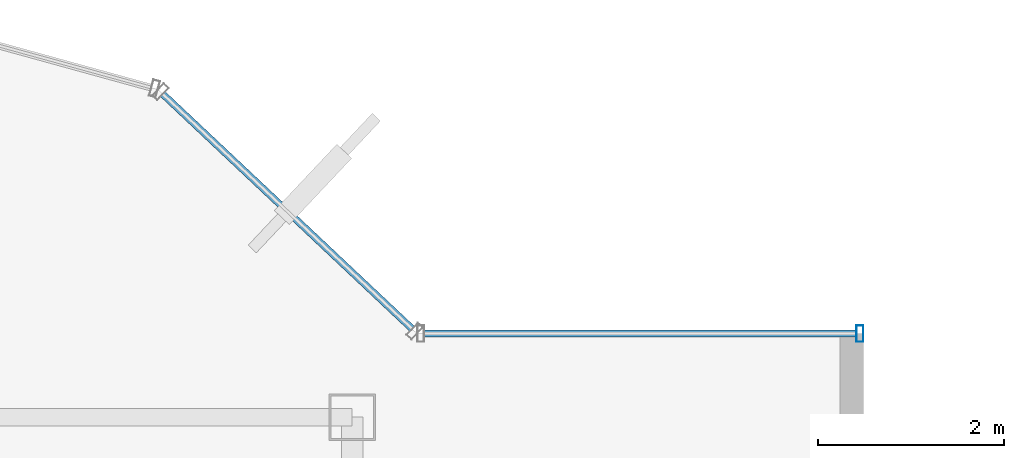
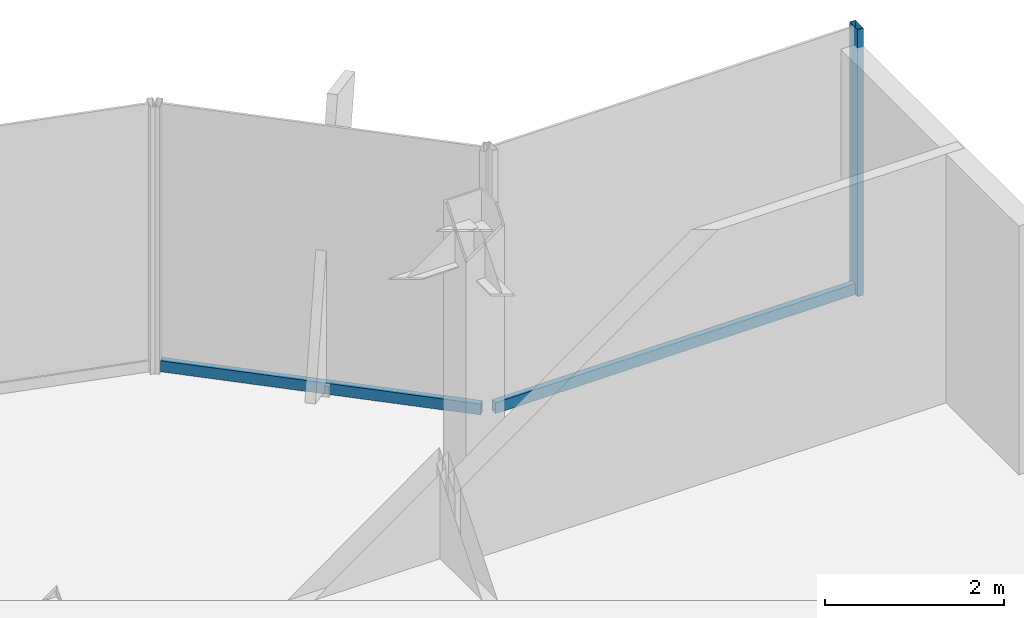
# One storey, part 15 of 22: 3 members, 2 elements without a shape of their own.
"""IFC4 building model written with IfcOpenShell, lengths in metres."""

from ifc_helpers import new_model, si_unit, derived_unit, direction, frame, origin, origin_2d, place, context, subcontext, project, spatial, hollow_rectangle, extrude, source, transform, mapped, material, material_profile, profile_set, type_object, element, aggregate, save


model = new_model("IFC4")

# Units and contexts
model_context = context("Model", 3, precision=1e-05, world=origin(), true_north=direction((0.0, 1.0)))
body_context = subcontext(model_context, "Body", "Model", "MODEL_VIEW")
ifc_project = project(units=[si_unit("LENGTHUNIT", "METRE"), si_unit("AREAUNIT", "SQUARE_METRE"), si_unit("VOLUMEUNIT", "CUBIC_METRE"), si_unit("PLANEANGLEUNIT", "RADIAN"), si_unit("MASSUNIT", "GRAM", prefix="KILO"), derived_unit("THERMALTRANSMITTANCEUNIT", [(si_unit("POWERUNIT", "WATT"), 1), (si_unit("LENGTHUNIT", "METRE"), -2), (si_unit("THERMODYNAMICTEMPERATUREUNIT", "KELVIN"), -1)])], contexts=[model_context])

# Site, building, storey
site_placement = place(None, origin())
site = spatial("IfcSite", under=ifc_project, at=site_placement, CompositionType="ELEMENT")
building_placement = place(site_placement, origin())
building = spatial("IfcBuilding", under=site, at=building_placement, Name="Skarnbrae Concourse Arena and Tower", CompositionType="ELEMENT")
storey_placement = place(building_placement, frame((0.0, 0.0, 221.449951171875)))
storey = spatial("IfcBuildingStorey", under=building, at=storey_placement, Name="L57", CompositionType="ELEMENT", Elevation=221.449951171875)

# Curtain wall, member
ifc_material = material(Name="Bronze anodised aluminium 6063-T6", Category="aluminium")
curtain_wall_type = type_object("IfcCurtainWallType", Name="CW-SYS-05-HIGHZONE", PredefinedType="USERDEFINED", material=ifc_material)
curtain_wall_1_placement = place(storey_placement, origin())
curtain_wall_1 = element("IfcCurtainWall", 1, at=curtain_wall_1_placement, inside=storey, type_object=curtain_wall_type, Name="L57 Unitised curtain wall CW-L57-E07", ObjectType="UNITISED CURTAIN WALL", PredefinedType="USERDEFINED")
ifc_material_profile_1 = material_profile(ifc_material, hollow_rectangle(XDim=0.074951171875, YDim=0.14990234375, WallThickness=0.00390625, at=origin_2d()), Name="ALU-TRAN-75X150")
ifc_profile_set_1 = profile_set([ifc_material_profile_1], Name="Bronze anodised aluminium 6063-T6")
member_type_1 = type_object("IfcMemberType", Name="CWT-CW-05", PredefinedType="USERDEFINED", material=ifc_profile_set_1)
shared_shape_1 = source(origin(), body_context, "Body", "SweptSolid", [
    extrude(hollow_rectangle(XDim=0.074951171875, YDim=0.14990234375, WallThickness=0.00390625, at=origin_2d()), origin(), (0.0, 0.0, 1.0), 4.650146484375),
])
member_1_placement = place(storey_placement, frame((38.925048828125, 35.300048828125, 0.074951171875), z_axis=(-1.0, 0.0, 0.0), x_axis=(0.0, -1.0, 0.0)))
member_1 = element("IfcMember", 2, at=member_1_placement, type_object=member_type_1, Name="CW-L57-E07 Transom 1", ObjectType="TRANSOM", PredefinedType="USERDEFINED", context=body_context, shape_type="MappedRepresentation", body=[
    mapped(shared_shape_1, transform((0.0, 0.0, 0.0))),
])

curtain_wall_2_placement = place(storey_placement, origin())
curtain_wall_2 = element("IfcCurtainWall", 3, at=curtain_wall_2_placement, inside=storey, type_object=curtain_wall_type, Name="L57 Unitised curtain wall CW-L57-E08", ObjectType="UNITISED CURTAIN WALL", PredefinedType="USERDEFINED")
shared_shape_2 = source(origin(), body_context, "Body", "SweptSolid", [
    extrude(hollow_rectangle(XDim=0.074951171875, YDim=0.14990234375, WallThickness=0.00390625, at=origin_2d()), origin(), (0.0, 0.0, 1.0), 3.68212890625),
])
member_2_placement = place(storey_placement, frame((34.1455078125, 35.351318359375, 0.074951171875), z_axis=(-0.728133808476, 0.685435012933, 0.0), x_axis=(-0.685435012933, -0.728133808476, 0.0)))
member_2 = element("IfcMember", 4, at=member_2_placement, type_object=member_type_1, Name="CW-L57-E08 Transom 1", ObjectType="TRANSOM", PredefinedType="USERDEFINED", context=body_context, shape_type="MappedRepresentation", body=[
    mapped(shared_shape_2, transform((0.0, 0.0, 0.0))),
])
aggregate(curtain_wall_2, [member_2])

# Member
ifc_material_profile_2 = material_profile(ifc_material, hollow_rectangle(XDim=0.074951171875, YDim=0.179931640625, WallThickness=0.00390625, at=origin_2d()), Name="ALU-MULL-75X180")
ifc_profile_set_2 = profile_set([ifc_material_profile_2], Name="Bronze anodised aluminium 6063-T6")
member_type_2 = type_object("IfcMemberType", Name="CWM-CW-05", PredefinedType="MULLION", material=ifc_profile_set_2)
shared_shape_3 = source(origin(), body_context, "Body", "SweptSolid", [
    extrude(hollow_rectangle(XDim=0.074951171875, YDim=0.179931640625, WallThickness=0.00390625, at=origin_2d()), origin(), (0.0, 0.0, 1.0), 3.650146484375),
])
member_3_placement = place(storey_placement, frame((38.96240234375, 35.300048828125, 0.0), z_axis=(0.0, 0.0, 1.0), x_axis=(-1.0, 0.0, 0.0)))
member_3 = element("IfcMember", 5, at=member_3_placement, type_object=member_type_2, Name="CW-L57-E07 Mullion 1", PredefinedType="MULLION", context=body_context, shape_type="MappedRepresentation", body=[
    mapped(shared_shape_3, transform((0.0, 0.0, 0.0))),
])

aggregate(curtain_wall_1, [member_3, member_1])

save(model, "model.ifc")
